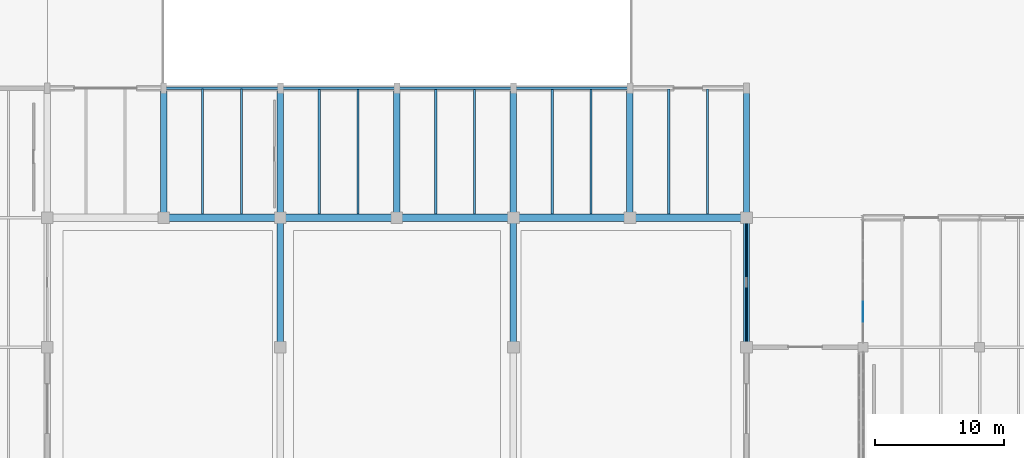
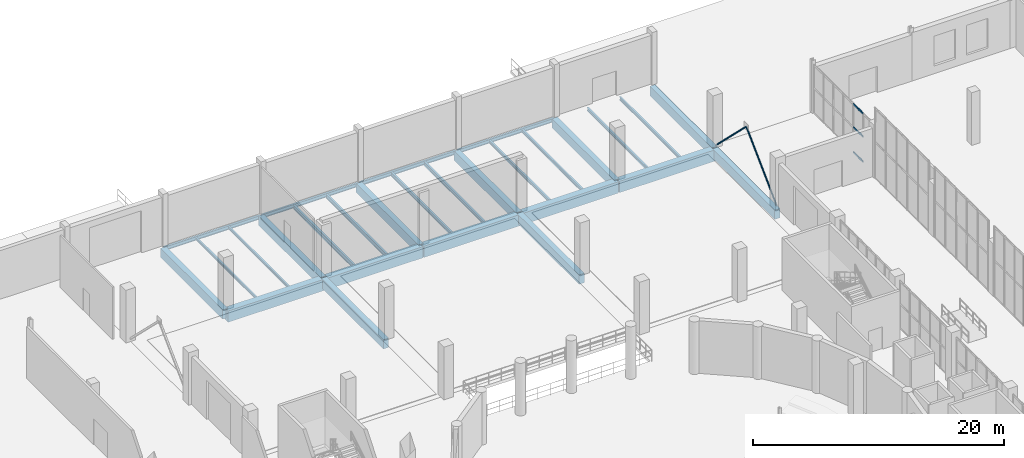
# One storey, part 55 of 103: 28 beams, 5 members, 1 element without a shape of its own.
"""IFC4 building model written with IfcOpenShell, lengths in metres."""

import ifcopenshell
import ifcopenshell.guid

model = None  # the IFC model being written
_history = None  # IfcOwnerHistory: only IFC2X3 demands one
_inside = {}  # id of a spatial element -> (the spatial element, [elements in it])
_under = {}  # id of a project, library or spatial element -> (it, [spatial elements below it])
_declared = {}  # id of a project -> (the project, [libraries it declares])
_typed = {}  # id of a type object -> (the type object, [elements of that type])
_made_of = {}  # id of a material, layer set ... -> (it, [elements and type objects made of it])


def new_model(schema):
    """Start an empty IFC model of exactly this schema.

    Asked for "IFC4X3", IfcOpenShell would pick the latest addendum, in which some entities
    have other attributes; the version numbers below select the first issue.
    IFC2X3 requires an IfcOwnerHistory on every rooted entity: one is made here for all.
    """
    global model, _history
    if schema == "IFC4X3":
        model = ifcopenshell.file(schema_version=(4, 3, 0, 0))
    else:
        model = ifcopenshell.file(schema=schema)
    _inside.clear()
    _under.clear()
    _declared.clear()
    _typed.clear()
    _made_of.clear()
    _history = None
    if model.schema == "IFC2X3":
        org = make("IfcOrganization", Name="unknown")
        user = make(
            "IfcPersonAndOrganization",
            ThePerson=make("IfcPerson", FamilyName="unknown"),
            TheOrganization=org,
        )
        app = make(
            "IfcApplication",
            ApplicationDeveloper=org,
            Version="unknown",
            ApplicationFullName="unknown",
            ApplicationIdentifier="unknown",
        )
        _history = make(
            "IfcOwnerHistory",
            OwningUser=user,
            OwningApplication=app,
            ChangeAction="ADDED",
            CreationDate=0,
        )
    return model


def make(cls, **values):
    """One entity of the class cls with the attributes given. An attribute that is None is left unset."""
    return model.create_entity(
        cls, **{name: value for name, value in values.items() if value is not None}
    )


def rooted(cls, **values):
    """An entity with a GlobalId (a new one), such as an element, a storey or a relation."""
    return make(cls, GlobalId=ifcopenshell.guid.new(), OwnerHistory=_history, **values)


def si_unit(unit_type, name, prefix=None):
    """IfcSIUnit, for example si_unit("LENGTHUNIT", "METRE", prefix="MILLI")."""
    return make("IfcSIUnit", UnitType=unit_type, Prefix=prefix, Name=name)


def assignment(units):
    """IfcUnitAssignment: the units of a project."""
    return None if units is None else make("IfcUnitAssignment", Units=units)


def point(xyz):
    """IfcCartesianPoint."""
    return None if xyz is None else make("IfcCartesianPoint", Coordinates=xyz)


def direction(xyz):
    """IfcDirection."""
    return None if xyz is None else make("IfcDirection", DirectionRatios=xyz)


def frame(location, z_axis=None, x_axis=None):
    """IfcAxis2Placement3D, a coordinate frame: its origin and axes. An axis left out is left unset."""
    return make(
        "IfcAxis2Placement3D",
        Location=point(location),
        Axis=direction(z_axis),
        RefDirection=direction(x_axis),
    )


def frame_2d(location, x_axis=None):
    """IfcAxis2Placement2D, a coordinate frame in the plane: its origin and x axis."""
    return make(
        "IfcAxis2Placement2D", Location=point(location), RefDirection=direction(x_axis)
    )


def origin():
    """The frame at (0, 0, 0) with its axes left unset."""
    return frame((0.0, 0.0, 0.0))


def origin_2d():
    """The frame at (0, 0) in the plane with its x axis left unset."""
    return frame_2d((0.0, 0.0))


def place(relative_to, where):
    """IfcLocalPlacement: puts the frame where relative to a parent placement (None: the world)."""
    return make(
        "IfcLocalPlacement", PlacementRelTo=relative_to, RelativePlacement=where
    )


def context(
    kind, dimensions, precision=None, world=None, true_north=None, identifier=None
):
    """IfcGeometricRepresentationContext, for example the 3D "Model" context."""
    return make(
        "IfcGeometricRepresentationContext",
        ContextIdentifier=identifier,
        ContextType=kind,
        CoordinateSpaceDimension=dimensions,
        Precision=precision,
        WorldCoordinateSystem=world,
        TrueNorth=true_north,
    )


def subcontext(parent, identifier, kind, view, scale=None):
    """IfcGeometricRepresentationSubContext, for example "Body" below "Model"."""
    return make(
        "IfcGeometricRepresentationSubContext",
        ContextIdentifier=identifier,
        ContextType=kind,
        ParentContext=parent,
        TargetScale=scale,
        TargetView=view,
    )


def project(units=None, contexts=None):
    """IfcProject with its units and contexts."""
    return rooted(
        "IfcProject",
        Name="project",
        RepresentationContexts=contexts,
        UnitsInContext=assignment(units),
    )


def spatial(cls, under=None, at=None, **own):
    """A site, building, storey or space (cls), placed at a placement, below another one or the project."""
    s = rooted(cls, ObjectPlacement=at, **own)
    if under is not None:
        _under.setdefault(under.id(), (under, []))[1].append(s)
    return s


def profile(cls, at=None, kind="AREA", **sizes):
    """A parametric profile (cls). Its sizes go by their IFC names, for example OverallWidth=200.0."""
    return make(cls, ProfileType=kind, Position=at, **sizes)


def rectangle(**sizes):
    """IfcRectangleProfileDef."""
    return profile("IfcRectangleProfileDef", **sizes)


def hollow_circle(**sizes):
    """IfcCircleHollowProfileDef."""
    return profile("IfcCircleHollowProfileDef", **sizes)


def i_section(**sizes):
    """IfcIShapeProfileDef."""
    return profile("IfcIShapeProfileDef", **sizes)


def extrude(swept, where, along, depth):
    """IfcExtrudedAreaSolid: the profile swept, set in the frame where, extruded along a direction by depth."""
    return make(
        "IfcExtrudedAreaSolid",
        SweptArea=swept,
        Position=where,
        ExtrudedDirection=direction(along),
        Depth=depth,
    )


def shape(context_of_items, identifier, shape_type, items):
    """IfcShapeRepresentation: the items that make up one representation, for example the "Body"."""
    return make(
        "IfcShapeRepresentation",
        ContextOfItems=context_of_items,
        RepresentationIdentifier=identifier,
        RepresentationType=shape_type,
        Items=items,
    )


def material(Name=None, Category=None):
    """IfcMaterial."""
    return make("IfcMaterial", Name=Name, Category=Category)


def layer(
    of_material, thickness, ventilated=None, Name=None, Category=None, Priority=None
):
    """IfcMaterialLayer: one layer of a wall or slab, of a material (None: an air gap)."""
    return make(
        "IfcMaterialLayer",
        Material=of_material,
        LayerThickness=thickness,
        IsVentilated=ventilated,
        Name=Name,
        Category=Category,
        Priority=Priority,
    )


def layer_set(layers, Name=None):
    """IfcMaterialLayerSet."""
    return make("IfcMaterialLayerSet", MaterialLayers=layers, LayerSetName=Name)


def material_profile(
    of_material, cross_section, Name=None, Category=None, Priority=None
):
    """IfcMaterialProfile: a cross section and its material."""
    return make(
        "IfcMaterialProfile",
        Name=Name,
        Material=of_material,
        Profile=cross_section,
        Priority=Priority,
        Category=Category,
    )


def profile_set(profiles, Name=None, composite=None):
    """IfcMaterialProfileSet."""
    return make(
        "IfcMaterialProfileSet",
        Name=Name,
        MaterialProfiles=profiles,
        CompositeProfile=composite,
    )


def made_of(thing, what):
    """Note that an element or type object is made of a material, layer set ...; save() writes the relation."""
    if what is not None:
        _made_of.setdefault(what.id(), (what, []))[1].append(thing)
    return thing


def type_object(cls, material=None, **own):
    """A type object (cls), such as IfcWallType, which elements share."""
    return made_of(rooted(cls, **own), material)


def element(
    cls,
    number,
    at=None,
    inside=None,
    cuts=None,
    type_object=None,
    material=None,
    context=None,
    identifier="Body",
    shape_type=None,
    held_by="IfcProductDefinitionShape",
    body=None,
    shapes=None,
    **own,
):
    """One element of the class cls, such as IfcWall. Its Tag is "e" and its number.

    at: its placement. inside: the storey or other place that contains it. cuts: it is an
    opening in that element (IfcRelVoidsElement). A single representation is given by context,
    identifier, shape_type and body (its items); several are given by shapes. held_by: the class
    of the entity that holds the representations. save() writes the other relations.
    """
    e = rooted(cls, Tag="e%d" % number, ObjectPlacement=at, **own)
    if body is not None:
        shapes = [shape(context, identifier, shape_type, body)]
    if shapes is not None:
        e.Representation = make(held_by, Representations=shapes)
    if inside is not None:
        _inside.setdefault(inside.id(), (inside, []))[1].append(e)
    if cuts is not None:
        rooted(
            "IfcRelVoidsElement", RelatingBuildingElement=cuts, RelatedOpeningElement=e
        )
    if type_object is not None:
        _typed.setdefault(type_object.id(), (type_object, []))[1].append(e)
    return made_of(e, material)


def aggregate(whole, parts):
    """IfcRelAggregates: a whole, such as a stair, and the parts it consists of."""
    return rooted("IfcRelAggregates", RelatingObject=whole, RelatedObjects=parts)


def save(model, path):
    """Write the relations noted so far, then the file.

    IfcRelAggregates (storeys below a building ...), IfcRelContainedInSpatialStructure (elements
    in a storey), IfcRelDefinesByType, IfcRelAssociatesMaterial and IfcRelDeclares: one each for
    every whole, place, type object, material and project.
    """
    for whole, parts in _under.values():
        aggregate(whole, parts)
    for where, things in _inside.values():
        rooted(
            "IfcRelContainedInSpatialStructure",
            RelatedElements=things,
            RelatingStructure=where,
        )
    for kind, things in _typed.values():
        rooted("IfcRelDefinesByType", RelatedObjects=things, RelatingType=kind)
    for what, things in _made_of.values():
        rooted("IfcRelAssociatesMaterial", RelatedObjects=things, RelatingMaterial=what)
    for by, libraries in _declared.values():
        rooted("IfcRelDeclares", RelatingContext=by, RelatedDefinitions=libraries)
    model.write(path)


model = new_model("IFC4")

# Units and contexts
model_context = context("Model", 3, precision=1e-05, world=origin(), true_north=direction((0.0, 1.0)))
body_context = subcontext(model_context, "Body", "Model", "MODEL_VIEW")
ifc_project = project(units=[si_unit("LENGTHUNIT", "METRE"), si_unit("AREAUNIT", "SQUARE_METRE"), si_unit("VOLUMEUNIT", "CUBIC_METRE"), si_unit("PLANEANGLEUNIT", "RADIAN"), si_unit("MASSUNIT", "GRAM", prefix="KILO")], contexts=[model_context])

# Site, building, storey
site_placement = place(None, origin())
site = spatial("IfcSite", under=ifc_project, at=site_placement, CompositionType="ELEMENT")
building_placement = place(site_placement, origin())
building = spatial("IfcBuilding", under=site, at=building_placement, Name="Marnock Terrace Opera House", CompositionType="ELEMENT")
storey_placement = place(building_placement, origin())
storey = spatial("IfcBuildingStorey", under=building, at=storey_placement, Name="L00", CompositionType="ELEMENT", Elevation=0.0)

# Beams
ifc_material_1 = material(Name="Concrete N40 (f'c = 40 MPa)", Category="concrete")
ifc_material_profile_1 = material_profile(ifc_material_1, rectangle(XDim=0.5, YDim=0.89990234375, at=origin_2d()))
ifc_profile_set_1 = profile_set([ifc_material_profile_1], Name="Concrete N40 (f'c = 40 MPa)")
beam_type_1 = type_object("IfcBeamType", Name="BM-B1-RC500", PredefinedType="BEAM", material=ifc_profile_set_1)
for number, where, z_axis, x_axis, name in (
    (1, (64.0, 104.050048828125, -0.75), (0.0, 1.0, 0.0), (-1.0, 0.0, 0.0), "L00 girder (X=64.0, 104.0..114.0)"),
    (2, (73.0, 94.050048828125, -0.75), (0.0, 1.0, 0.0), (-1.0, 0.0, 0.0), "L00 girder (X=73.0, 94.0..104.0)"),
    (3, (73.0, 104.050048828125, -0.75), (0.0, 1.0, 0.0), (-1.0, 0.0, 0.0), "L00 girder (X=73.0, 104.0..114.0)"),
    (4, (82.0, 104.050048828125, -0.75), (0.0, 1.0, 0.0), (-1.0, 0.0, 0.0), "L00 girder (X=82.0, 104.0..114.0)"),
    (5, (91.0, 94.050048828125, -0.75), (0.0, 1.0, 0.0), (-1.0, 0.0, 0.0), "L00 girder (X=91.0, 94.0..104.0)"),
    (6, (91.0, 104.050048828125, -0.75), (0.0, 1.0, 0.0), (-1.0, 0.0, 0.0), "L00 girder (X=91.0, 104.0..114.0)"),
    (7, (100.0, 104.050048828125, -0.75), (0.0, 1.0, 0.0), (-1.0, 0.0, 0.0), "L00 girder (X=100.0, 104.0..114.0)"),
    (8, (109.0, 94.050048828125, -0.75), (0.0, 1.0, 0.0), (-1.0, 0.0, 0.0), "L00 girder (X=109.0, 94.0..104.0)"),
    (9, (109.0, 104.050048828125, -0.75), (0.0, 1.0, 0.0), (-1.0, 0.0, 0.0), "L00 girder (X=109.0, 104.0..114.0)"),
):
    element("IfcBeam", number, at=place(storey_placement, frame(where, z_axis=z_axis, x_axis=x_axis)), inside=storey, type_object=beam_type_1, Name=name, PredefinedType="BEAM", context=body_context, shape_type="SweptSolid", body=[
        extrude(rectangle(XDim=0.5, YDim=0.89990234375, at=origin_2d()), origin(), (0.0, 0.0, 1.0), 9.89990234375),
    ])
ifc_material_profile_2 = material_profile(ifc_material_1, rectangle(XDim=0.60009765625, YDim=1.10009765625, at=origin_2d()))
ifc_profile_set_2 = profile_set([ifc_material_profile_2], Name="Concrete N40 (f'c = 40 MPa)")
beam_type_2 = type_object("IfcBeamType", Name="BM-B1-RC600", PredefinedType="BEAM", material=ifc_profile_set_2)
for number, where, z_axis, x_axis, name in (
    (10, (64.050048828125, 104.0, -0.85009765625), (1.0, 0.0, 0.0), (0.0, 1.0, 0.0), "L00 girder (64.0..73.0, Y=104.0)"),
    (11, (73.050048828125, 104.0, -0.85009765625), (1.0, 0.0, 0.0), (0.0, 1.0, 0.0), "L00 girder (73.0..82.0, Y=104.0)"),
    (12, (82.050048828125, 104.0, -0.85009765625), (1.0, 0.0, 0.0), (0.0, 1.0, 0.0), "L00 girder (82.0..91.0, Y=104.0)"),
    (13, (91.050048828125, 104.0, -0.85009765625), (1.0, 0.0, 0.0), (0.0, 1.0, 0.0), "L00 girder (91.0..100.0, Y=104.0)"),
    (14, (100.050048828125, 104.0, -0.85009765625), (1.0, 0.0, 0.0), (0.0, 1.0, 0.0), "L00 girder (100.0..109.0, Y=104.0)"),
):
    element("IfcBeam", number, at=place(storey_placement, frame(where, z_axis=z_axis, x_axis=x_axis)), inside=storey, type_object=beam_type_2, Name=name, PredefinedType="BEAM", context=body_context, shape_type="SweptSolid", body=[
        extrude(rectangle(XDim=0.60009765625, YDim=1.10009765625, at=origin_2d()), origin(), (0.0, 0.0, 1.0), 8.89990234375),
    ])
ifc_material_2 = material(Name="Steel Grade 350 (AS/NZS 3679.1)", Category="steel")
ifc_material_profile_3 = material_profile(ifc_material_2, i_section(OverallWidth=0.14599609375, OverallDepth=0.256103515625, WebThickness=0.00634765625, FlangeThickness=0.010986328125, FilletRadius=0.0087890625, at=origin_2d()))
ifc_profile_set_3 = profile_set([ifc_material_profile_3], Name="Steel Grade 350 (AS/NZS 3679.1)")
beam_type_3 = type_object("IfcBeamType", Name="BM-JOIST-250", PredefinedType="JOIST", material=ifc_profile_set_3)
for number, where, z_axis, x_axis, name in (
    (15, (67.0, 104.294921875, -0.427978515625), (0.0, 1.0, 0.0), (-1.0, 0.0, 0.0), "L00 secondary joist 7.12.1"),
    (16, (70.0, 104.294921875, -0.427978515625), (0.0, 1.0, 0.0), (-1.0, 0.0, 0.0), "L00 secondary joist 7.12.2"),
):
    element("IfcBeam", number, at=place(storey_placement, frame(where, z_axis=z_axis, x_axis=x_axis)), inside=storey, type_object=beam_type_3, Name=name, PredefinedType="JOIST", context=body_context, shape_type="SweptSolid", body=[
        extrude(i_section(OverallWidth=0.14599609375, OverallDepth=0.256103515625, WebThickness=0.00634765625, FlangeThickness=0.010986328125, FilletRadius=0.0087890625, at=origin_2d()), origin(), (0.0, 0.0, 1.0), 9.6240234375),
    ])
ifc_material_profile_4 = material_profile(ifc_material_2, i_section(OverallWidth=0.166015625, OverallDepth=0.30712890625, WebThickness=0.006591796875, FlangeThickness=0.01171875, FilletRadius=0.011474609375, at=origin_2d()))
ifc_profile_set_4 = profile_set([ifc_material_profile_4], Name="Steel Grade 350 (AS/NZS 3679.1)")
beam_type_4 = type_object("IfcBeamType", Name="BM-JOIST-310A", PredefinedType="JOIST", material=ifc_profile_set_4)
for number, where, z_axis, x_axis, name in (
    (17, (94.0, 104.294921875, -0.45361328125), (0.0, 1.0, 0.0), (-1.0, 0.0, 0.0), "L00 secondary joist 10.12.1"),
    (18, (97.0, 104.294921875, -0.45361328125), (0.0, 1.0, 0.0), (-1.0, 0.0, 0.0), "L00 secondary joist 10.12.2"),
):
    element("IfcBeam", number, at=place(storey_placement, frame(where, z_axis=z_axis, x_axis=x_axis)), inside=storey, type_object=beam_type_4, Name=name, PredefinedType="JOIST", context=body_context, shape_type="SweptSolid", body=[
        extrude(i_section(OverallWidth=0.166015625, OverallDepth=0.30712890625, WebThickness=0.006591796875, FlangeThickness=0.01171875, FilletRadius=0.011474609375, at=origin_2d()), origin(), (0.0, 0.0, 1.0), 9.6240234375),
    ])
ifc_material_profile_5 = material_profile(ifc_material_2, i_section(OverallWidth=0.1650390625, OverallDepth=0.3037109375, WebThickness=0.006103515625, FlangeThickness=0.01025390625, FilletRadius=0.011474609375, at=origin_2d()))
ifc_profile_set_5 = profile_set([ifc_material_profile_5], Name="Steel Grade 350 (AS/NZS 3679.1)")
beam_type_5 = type_object("IfcBeamType", Name="BM-JOIST-310B", PredefinedType="JOIST", material=ifc_profile_set_5)
for number, where, z_axis, x_axis, name in (
    (19, (103.0, 104.294921875, -0.451904296875), (0.0, 1.0, 0.0), (-1.0, 0.0, 0.0), "L00 secondary joist 11.12.1"),
    (20, (106.0, 104.294921875, -0.451904296875), (0.0, 1.0, 0.0), (-1.0, 0.0, 0.0), "L00 secondary joist 11.12.2"),
):
    element("IfcBeam", number, at=place(storey_placement, frame(where, z_axis=z_axis, x_axis=x_axis)), inside=storey, type_object=beam_type_5, Name=name, PredefinedType="JOIST", context=body_context, shape_type="SweptSolid", body=[
        extrude(i_section(OverallWidth=0.1650390625, OverallDepth=0.3037109375, WebThickness=0.006103515625, FlangeThickness=0.01025390625, FilletRadius=0.011474609375, at=origin_2d()), origin(), (0.0, 0.0, 1.0), 9.6240234375),
    ])
ifc_material_profile_6 = material_profile(ifc_material_2, i_section(OverallWidth=0.172119140625, OverallDepth=0.358642578125, WebThickness=0.008056640625, FlangeThickness=0.012939453125, FilletRadius=0.011474609375, at=origin_2d()))
ifc_profile_set_6 = profile_set([ifc_material_profile_6], Name="Steel Grade 350 (AS/NZS 3679.1)")
beam_type_6 = type_object("IfcBeamType", Name="BM-JOIST-360", PredefinedType="JOIST", material=ifc_profile_set_6)
for number, where, z_axis, x_axis, name in (
    (21, (85.0, 104.294921875, -0.479248046875), (0.0, 1.0, 0.0), (-1.0, 0.0, 0.0), "L00 secondary joist 9.12.1"),
    (22, (88.0, 104.294921875, -0.479248046875), (0.0, 1.0, 0.0), (-1.0, 0.0, 0.0), "L00 secondary joist 9.12.2"),
):
    element("IfcBeam", number, at=place(storey_placement, frame(where, z_axis=z_axis, x_axis=x_axis)), inside=storey, type_object=beam_type_6, Name=name, PredefinedType="JOIST", context=body_context, shape_type="SweptSolid", body=[
        extrude(i_section(OverallWidth=0.172119140625, OverallDepth=0.358642578125, WebThickness=0.008056640625, FlangeThickness=0.012939453125, FilletRadius=0.011474609375, at=origin_2d()), origin(), (0.0, 0.0, 1.0), 9.6240234375),
    ])
ifc_material_profile_7 = material_profile(ifc_material_2, i_section(OverallWidth=0.177978515625, OverallDepth=0.406494140625, WebThickness=0.0078125, FlangeThickness=0.0126953125, FilletRadius=0.011474609375, at=origin_2d()))
ifc_profile_set_7 = profile_set([ifc_material_profile_7], Name="Steel Grade 350 (AS/NZS 3679.1)")
beam_type_7 = type_object("IfcBeamType", Name="BM-JOIST-410", PredefinedType="JOIST", material=ifc_profile_set_7)
for number, where, z_axis, x_axis, name in (
    (23, (76.0, 104.294921875, -0.503173828125), (0.0, 1.0, 0.0), (-1.0, 0.0, 0.0), "L00 secondary joist 8.12.1"),
    (24, (79.0, 104.294921875, -0.503173828125), (0.0, 1.0, 0.0), (-1.0, 0.0, 0.0), "L00 secondary joist 8.12.2"),
):
    element("IfcBeam", number, at=place(storey_placement, frame(where, z_axis=z_axis, x_axis=x_axis)), inside=storey, type_object=beam_type_7, Name=name, PredefinedType="JOIST", context=body_context, shape_type="SweptSolid", body=[
        extrude(i_section(OverallWidth=0.177978515625, OverallDepth=0.406494140625, WebThickness=0.0078125, FlangeThickness=0.0126953125, FilletRadius=0.011474609375, at=origin_2d()), origin(), (0.0, 0.0, 1.0), 9.6240234375),
    ])
ifc_material_profile_8 = material_profile(ifc_material_2, i_section(OverallWidth=0.172119140625, OverallDepth=0.358642578125, WebThickness=0.008056640625, FlangeThickness=0.012939453125, FilletRadius=0.011474609375, at=origin_2d()))
ifc_profile_set_8 = profile_set([ifc_material_profile_8], Name="Steel Grade 350 (AS/NZS 3679.1)")
beam_type_8 = type_object("IfcBeamType", Name="BM-SPAN-360", PredefinedType="SPANDREL", material=ifc_profile_set_8)
for number, where, z_axis, x_axis, name in (
    (25, (64.050048828125, 114.0, -0.479248046875), (1.0, 0.0, 0.0), (0.0, 1.0, 0.0), "L00 girder (64.0..73.0, Y=114.0)"),
    (26, (73.050048828125, 114.0, -0.479248046875), (1.0, 0.0, 0.0), (0.0, 1.0, 0.0), "L00 girder (73.0..82.0, Y=114.0)"),
    (27, (82.050048828125, 114.0, -0.479248046875), (1.0, 0.0, 0.0), (0.0, 1.0, 0.0), "L00 girder (82.0..91.0, Y=114.0)"),
    (28, (91.050048828125, 114.0, -0.479248046875), (1.0, 0.0, 0.0), (0.0, 1.0, 0.0), "L00 girder (91.0..100.0, Y=114.0)"),
):
    element("IfcBeam", number, at=place(storey_placement, frame(where, z_axis=z_axis, x_axis=x_axis)), inside=storey, type_object=beam_type_8, Name=name, PredefinedType="SPANDREL", context=body_context, shape_type="SweptSolid", body=[
        extrude(i_section(OverallWidth=0.172119140625, OverallDepth=0.358642578125, WebThickness=0.008056640625, FlangeThickness=0.012939453125, FilletRadius=0.011474609375, at=origin_2d()), origin(), (0.0, 0.0, 1.0), 8.89990234375),
    ])

# Curtain wall, members
ifc_material_3 = material(Name="Anodised architectural bronze aluminium framing", Category="aluminium")
ifc_layer = layer(ifc_material_3, 0.159912109375)
ifc_layer_set = layer_set([ifc_layer], Name="Anodised architectural bronze aluminium framing")
curtain_wall_type = type_object("IfcCurtainWallType", Name="CW-FOYER-95x51", PredefinedType="NOTDEFINED", material=ifc_layer_set)
curtain_wall_placement = place(storey_placement, origin())
curtain_wall = element("IfcCurtainWall", 29, at=curtain_wall_placement, inside=storey, type_object=curtain_wall_type, Name="L00 glazed Beaux-Arts colonnade curtain wall CW-V5-L00-W8", PredefinedType="NOTDEFINED")
ifc_material_profile_9 = material_profile(ifc_material_3, rectangle(XDim=0.06005859375, YDim=0.1298828125, at=origin_2d()))
ifc_profile_set_9 = profile_set([ifc_material_profile_9], Name="Anodised architectural bronze aluminium framing")
member_type_1 = type_object("IfcMemberType", Name="CWT-60x130", PredefinedType="USERDEFINED", material=ifc_profile_set_9)
member_1_placement = place(storey_placement, frame((118.0, 95.979248046875, 0.030029296875), z_axis=(0.0, 1.0, 0.0), x_axis=(-1.0, 0.0, 0.0)))
member_1 = element("IfcMember", 30, at=member_1_placement, type_object=member_type_1, Name="CW-24 transom 2.1", ObjectType="TRANSOM", PredefinedType="USERDEFINED", context=body_context, shape_type="SweptSolid", body=[
    extrude(rectangle(XDim=0.06005859375, YDim=0.1298828125, at=origin_2d()), origin(), (0.0, 0.0, 1.0), 1.518310546875),
])
member_2_placement = place(storey_placement, frame((118.0, 95.979248046875, 2.4619140625), z_axis=(0.0, 1.0, 0.0), x_axis=(-1.0, 0.0, 0.0)))
member_2 = element("IfcMember", 31, at=member_2_placement, type_object=member_type_1, Name="CW-24 transom 2.2", ObjectType="TRANSOM", PredefinedType="USERDEFINED", context=body_context, shape_type="SweptSolid", body=[
    extrude(rectangle(XDim=0.06005859375, YDim=0.1298828125, at=origin_2d()), origin(), (0.0, 0.0, 1.0), 1.518310546875),
])
member_3_placement = place(storey_placement, frame((118.0, 95.979248046875, 4.704345703125), z_axis=(0.0, 1.0, 0.0), x_axis=(-1.0, 0.0, 0.0)))
member_3 = element("IfcMember", 32, at=member_3_placement, type_object=member_type_1, Name="CW-24 transom 2.3", ObjectType="TRANSOM", PredefinedType="USERDEFINED", context=body_context, shape_type="SweptSolid", body=[
    extrude(rectangle(XDim=0.06005859375, YDim=0.1298828125, at=origin_2d()), origin(), (0.0, 0.0, 1.0), 1.518310546875),
])
aggregate(curtain_wall, [member_1, member_2, member_3])

# Members
ifc_material_4 = material(Name="Cold-formed Steel Grade C350L0 (AS/NZS 1163)", Category="steel")
ifc_material_profile_10 = material_profile(ifc_material_4, hollow_circle(Radius=0.06982421875, WallThickness=0.00634765625, at=origin_2d()))
ifc_profile_set_10 = profile_set([ifc_material_profile_10], Name="Cold-formed Steel Grade C350L0 (AS/NZS 1163)")
member_type_2 = type_object("IfcMemberType", Name="MEM-BRACE-CHS3", PredefinedType="BRACE", material=ifc_profile_set_10)
for number, where, z_axis, x_axis, name in (
    (33, (109.0, 94.14990234375, 0.0), (0.0, 0.713704043552, 0.700447384332), (-1.0, 0.0, 0.0), "L00 chevron brace A"),
    (34, (109.0, 103.85009765625, 0.0), (0.0, -0.713704043552, 0.700447384332), (1.0, 0.0, 0.0), "L00 chevron brace B"),
):
    element("IfcMember", number, at=place(storey_placement, frame(where, z_axis=z_axis, x_axis=x_axis)), inside=storey, type_object=member_type_2, Name=name, PredefinedType="BRACE", context=body_context, shape_type="SweptSolid", body=[
        extrude(hollow_circle(Radius=0.06982421875, WallThickness=0.00634765625, at=origin_2d()), origin(), (0.0, 0.0, 1.0), 6.795654296875),
    ])

save(model, "model.ifc")
